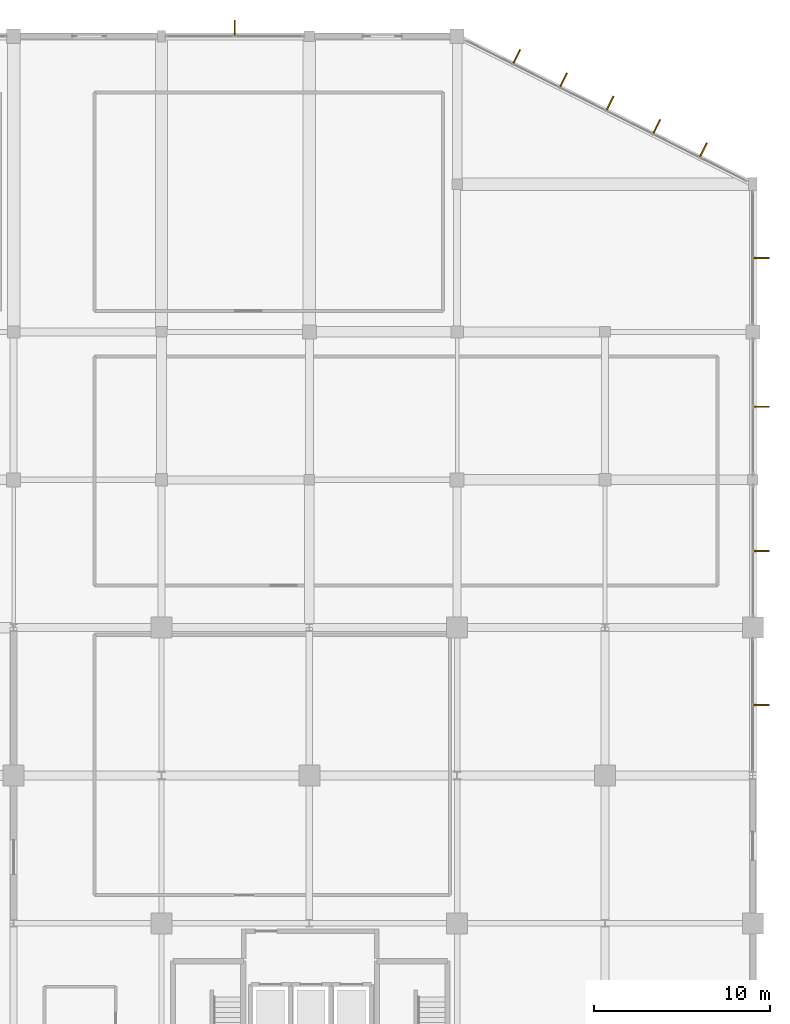
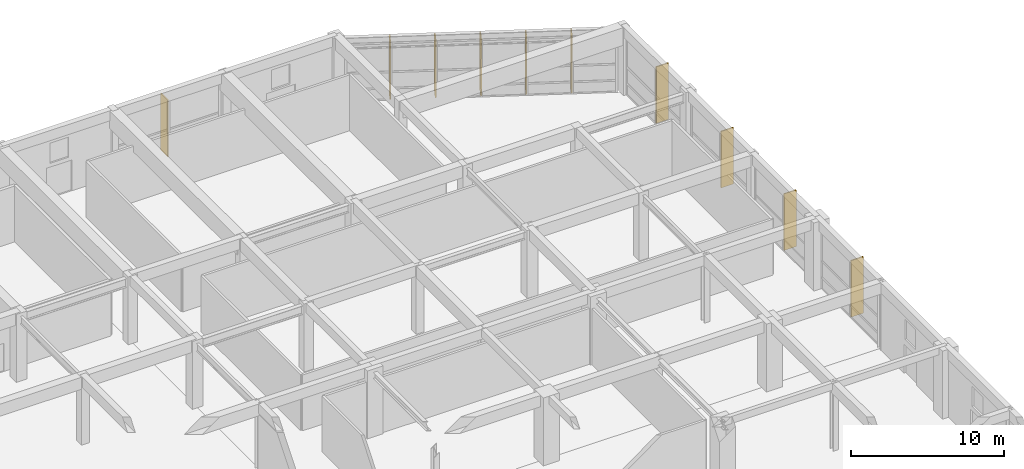
# One storey, part 61 of 62: 10 shading devices.
"""IFC4 building model written with IfcOpenShell, lengths in metres."""

from ifc_helpers import new_model, si_unit, direction, frame, origin, origin_2d, place, context, subcontext, project, spatial, rectangle, extrude, material, type_object, element, save


model = new_model("IFC4")

# Units and contexts
model_context = context("Model", 3, precision=1e-05, world=origin(), true_north=direction((0.0, 1.0)))
body_context = subcontext(model_context, "Body", "Model", "MODEL_VIEW")
ifc_project = project(units=[si_unit("LENGTHUNIT", "METRE"), si_unit("AREAUNIT", "SQUARE_METRE"), si_unit("VOLUMEUNIT", "CUBIC_METRE"), si_unit("PLANEANGLEUNIT", "RADIAN"), si_unit("MASSUNIT", "GRAM", prefix="KILO")], contexts=[model_context])

# Site, building, storey
site_placement = place(None, origin())
site = spatial("IfcSite", under=ifc_project, at=site_placement, CompositionType="ELEMENT")
building_placement = place(site_placement, origin())
building = spatial("IfcBuilding", under=site, at=building_placement, Name="Xuanlan Plaza Opera House", CompositionType="ELEMENT")
storey_placement = place(building_placement, origin())
storey = spatial("IfcBuildingStorey", under=building, at=storey_placement, Name="L00", CompositionType="ELEMENT", Elevation=0.0)

# Shading devices
ifc_material = material(Name="Anodised Aluminium 6063-T6", Category="aluminium")
shading_device_type = type_object("IfcShadingDeviceType", Name="ENV-SHD-BRS02", PredefinedType="JALOUSIE", material=ifc_material)
for number, where, z_axis, x_axis, name in (
    (1, (168.465087890625, 79.603515625, 0.0400390625), (0.0, 0.0, 1.0), (1.0, 0.0, 0.0), "Parametric Sunshade Fin L00-0015"),
    (2, (168.465087890625, 88.35009765625, 0.0400390625), (0.0, 0.0, 1.0), (1.0, 0.0, 0.0), "Parametric Sunshade Fin L00-0016"),
    (3, (168.465087890625, 96.550048828125, 0.0400390625), (0.0, 0.0, 1.0), (1.0, 0.0, 0.0), "Parametric Sunshade Fin L00-0017"),
    (4, (168.465087890625, 105.012451171875, 0.0400390625), (0.0, 0.0, 1.0), (1.0, 0.0, 0.0), "Parametric Sunshade Fin L00-0018"),
    (5, (165.182861328125, 111.12841796875, 0.0400390625), (0.0, 0.0, 1.0), (0.447290848419, 0.89438856037, 0.0), "Parametric Sunshade Fin L00-0019"),
    (6, (162.532958984375, 112.453369140625, 0.0400390625), (0.0, 0.0, 1.0), (0.447290848419, 0.89438856037, 0.0), "Parametric Sunshade Fin L00-0020"),
    (7, (159.883056640625, 113.7783203125, 0.0400390625), (0.0, 0.0, 1.0), (0.447290848419, 0.89438856037, 0.0), "Parametric Sunshade Fin L00-0021"),
    (8, (157.23291015625, 115.103515625, 0.0400390625), (0.0, 0.0, 1.0), (0.447290848419, 0.89438856037, 0.0), "Parametric Sunshade Fin L00-0022"),
    (9, (154.5830078125, 116.42822265625, 0.0400390625), (0.0, 0.0, 1.0), (0.447290848419, 0.89438856037, 0.0), "Parametric Sunshade Fin L00-0023"),
    (10, (138.5625, 118.06494140625, 0.0400390625), (0.0, 0.0, 1.0), (0.0, 1.0, 0.0), "Parametric Sunshade Fin L00-0024"),
):
    element("IfcShadingDevice", number, at=place(storey_placement, frame(where, z_axis=z_axis, x_axis=x_axis)), inside=storey, type_object=shading_device_type, Name=name, PredefinedType="JALOUSIE", context=body_context, shape_type="SweptSolid", body=[
        extrude(rectangle(XDim=0.919921875, YDim=0.080078125, at=origin_2d()), origin(), (0.0, 0.0, 1.0), 4.5),
    ])

save(model, "model.ifc")
